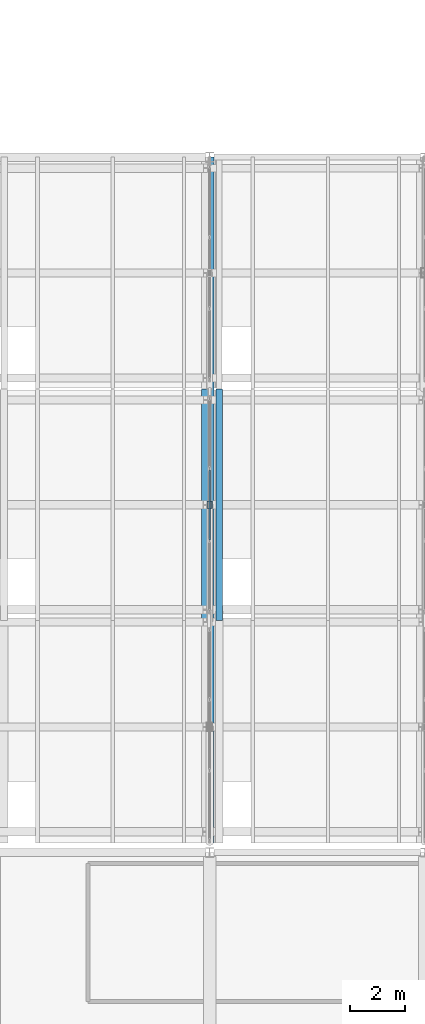
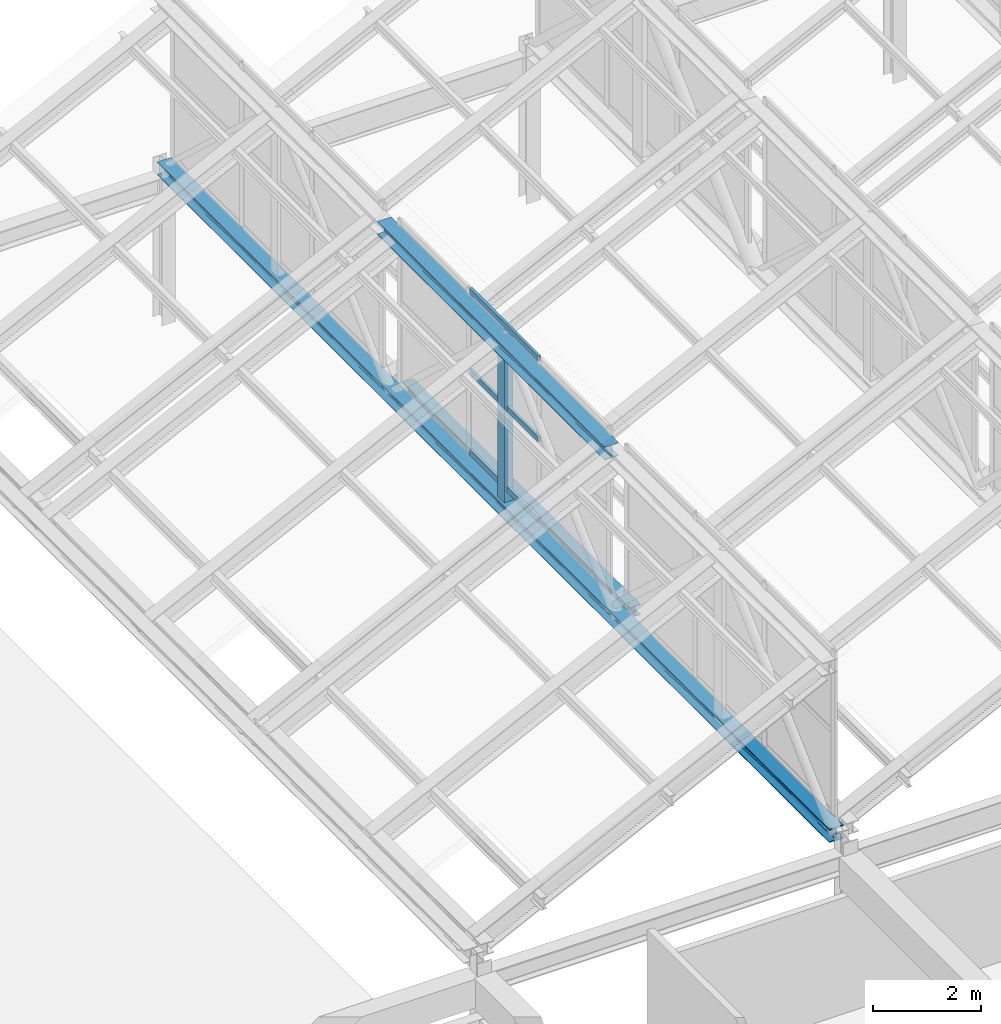
# One storey, part 19 of 101: 7 members, 1 element without a shape of its own.
"""IFC4 building model written with IfcOpenShell, lengths in metres."""

from ifc_helpers import new_model, si_unit, direction, frame, origin, origin_2d, place, context, subcontext, project, spatial, hollow_rectangle, i_section, extrude, material, layer, layer_set, material_profile, profile_set, type_object, element, aggregate, save


model = new_model("IFC4")

# Units and contexts
model_context = context("Model", 3, precision=1e-05, world=origin(), true_north=direction((0.0, 1.0)))
body_context = subcontext(model_context, "Body", "Model", "MODEL_VIEW")
ifc_project = project(units=[si_unit("LENGTHUNIT", "METRE"), si_unit("AREAUNIT", "SQUARE_METRE"), si_unit("VOLUMEUNIT", "CUBIC_METRE"), si_unit("PLANEANGLEUNIT", "RADIAN"), si_unit("MASSUNIT", "GRAM", prefix="KILO")], contexts=[model_context])

# Site, building, storey
site_placement = place(None, origin())
site = spatial("IfcSite", under=ifc_project, at=site_placement, CompositionType="ELEMENT")
building_placement = place(site_placement, origin())
building = spatial("IfcBuilding", under=site, at=building_placement, Name="Zizhar Promenade General Hospital", CompositionType="ELEMENT")
storey_placement = place(building_placement, frame((0.0, 0.0, 14.39990234375)))
storey = spatial("IfcBuildingStorey", under=building, at=storey_placement, Name="L03", CompositionType="ELEMENT", Elevation=14.39990234375)

# Curtain wall, members
ifc_material_1 = material(Name="Anodised aluminium 6063-T6 and low-E glass", Category="aluminium")
ifc_layer = layer(ifc_material_1, 0.159912109375)
ifc_layer_set = layer_set([ifc_layer], Name="Anodised aluminium 6063-T6 and low-E glass")
curtain_wall_type = type_object("IfcCurtainWallType", Name="CW-SAW-NL2", PredefinedType="NOTDEFINED", material=ifc_layer_set)
curtain_wall_placement = place(storey_placement, origin())
curtain_wall = element("IfcCurtainWall", 1, at=curtain_wall_placement, inside=storey, type_object=curtain_wall_type, Name="Sawtooth Clerestory Light B1-S2", PredefinedType="NOTDEFINED")
ifc_material_2 = material(Name="Anodised aluminium 6063-T6", Category="aluminium")
ifc_material_profile_1 = material_profile(ifc_material_2, hollow_rectangle(XDim=0.06005859375, YDim=0.1201171875, WallThickness=0.00390625, at=origin_2d()))
ifc_profile_set_1 = profile_set([ifc_material_profile_1], Name="Anodised aluminium 6063-T6")
member_type_1 = type_object("IfcMemberType", Name="CWT-ALU-120x60", PredefinedType="USERDEFINED", material=ifc_profile_set_1)
member_1_placement = place(storey_placement, frame((78.0, 36.530029296875, 3.880126953125), z_axis=(0.0, 1.0, 0.0), x_axis=(-1.0, 0.0, 0.0)))
member_1 = element("IfcMember", 2, at=member_1_placement, type_object=member_type_1, Name="CW-04 transom 2.1", ObjectType="TRANSOM", PredefinedType="USERDEFINED", context=body_context, shape_type="SweptSolid", body=[
    extrude(hollow_rectangle(XDim=0.06005859375, YDim=0.1201171875, WallThickness=0.00390625, at=origin_2d()), origin(), (0.0, 0.0, 1.0), 2.5400390625),
])
member_2_placement = place(storey_placement, frame((78.0, 36.530029296875, 5.7001953125), z_axis=(0.0, 1.0, 0.0), x_axis=(-1.0, 0.0, 0.0)))
member_2 = element("IfcMember", 3, at=member_2_placement, type_object=member_type_1, Name="CW-04 transom 2.2", ObjectType="TRANSOM", PredefinedType="USERDEFINED", context=body_context, shape_type="SweptSolid", body=[
    extrude(hollow_rectangle(XDim=0.06005859375, YDim=0.1201171875, WallThickness=0.00390625, at=origin_2d()), origin(), (0.0, 0.0, 1.0), 2.5400390625),
])
member_3_placement = place(storey_placement, frame((78.0, 36.530029296875, 7.52001953125), z_axis=(0.0, 1.0, 0.0), x_axis=(-1.0, 0.0, 0.0)))
member_3 = element("IfcMember", 4, at=member_3_placement, type_object=member_type_1, Name="CW-04 transom 2.3", ObjectType="TRANSOM", PredefinedType="USERDEFINED", context=body_context, shape_type="SweptSolid", body=[
    extrude(hollow_rectangle(XDim=0.06005859375, YDim=0.1201171875, WallThickness=0.00390625, at=origin_2d()), origin(), (0.0, 0.0, 1.0), 2.5400390625),
])
aggregate(curtain_wall, [member_1, member_2, member_3])

# Members
ifc_material_3 = material(Name="Steel S355", Category="steel")
ifc_material_profile_2 = material_profile(ifc_material_3, i_section(OverallWidth=0.239990234375, OverallDepth=0.239990234375, WebThickness=0.010009765625, FlangeThickness=0.01708984375, FilletRadius=0.02099609375, at=origin_2d()))
ifc_profile_set_2 = profile_set([ifc_material_profile_2], Name="Steel S355")
member_type_2 = type_object("IfcMemberType", Name="MEM-CHORD-HEB240", PredefinedType="CHORD", material=ifc_profile_set_2)
member_4_placement = place(storey_placement, frame((78.35009765625, 33.60009765625, 3.47021484375), z_axis=(0.0, 1.0, 0.0), x_axis=(-1.0, 0.0, 0.0)))
element("IfcMember", 5, at=member_4_placement, inside=storey, type_object=member_type_2, Name="Sawtooth Bay 2 Valley Tie 2", PredefinedType="CHORD", context=body_context, shape_type="SweptSolid", body=[
    extrude(i_section(OverallWidth=0.239990234375, OverallDepth=0.239990234375, WebThickness=0.010009765625, FlangeThickness=0.01708984375, FilletRadius=0.02099609375, at=origin_2d()), origin(), (0.0, 0.0, 1.0), 8.39990234375),
])
ifc_material_4 = material(Name="Steel S355", Category="steel")
ifc_material_profile_3 = material_profile(ifc_material_4, i_section(OverallWidth=0.300048828125, OverallDepth=0.300048828125, WebThickness=0.010986328125, FlangeThickness=0.01904296875, FilletRadius=0.027099609375, at=origin_2d()))
ifc_profile_set_3 = profile_set([ifc_material_profile_3], Name="Steel S355")
member_type_3 = type_object("IfcMemberType", Name="MEM-CHORD-HEB300", PredefinedType="CHORD", material=ifc_profile_set_3)
member_5_placement = place(storey_placement, frame((78.0, 25.550048828125, 3.4501953125), z_axis=(0.0, 1.0, 0.0), x_axis=(-1.0, 0.0, 0.0)))
element("IfcMember", 6, at=member_5_placement, inside=storey, type_object=member_type_3, Name="Sawtooth Truss Frame 2 Bottom Chord", PredefinedType="CHORD", context=body_context, shape_type="SweptSolid", body=[
    extrude(i_section(OverallWidth=0.300048828125, OverallDepth=0.300048828125, WebThickness=0.010986328125, FlangeThickness=0.01904296875, FilletRadius=0.027099609375, at=origin_2d()), origin(), (0.0, 0.0, 1.0), 24.849853515625),
])
member_6_placement = place(storey_placement, frame((77.85009765625, 33.60009765625, 7.25), z_axis=(0.0, 1.0, 0.0), x_axis=(-1.0, 0.0, 0.0)))
element("IfcMember", 7, at=member_6_placement, inside=storey, type_object=member_type_3, Name="Sawtooth Bay 1 Ridge Chord 2", PredefinedType="CHORD", context=body_context, shape_type="SweptSolid", body=[
    extrude(i_section(OverallWidth=0.300048828125, OverallDepth=0.300048828125, WebThickness=0.010986328125, FlangeThickness=0.01904296875, FilletRadius=0.027099609375, at=origin_2d()), origin(), (0.0, 0.0, 1.0), 8.39990234375),
])
ifc_material_5 = material(Name="Steel S355", Category="steel")
ifc_material_profile_4 = material_profile(ifc_material_5, hollow_rectangle(XDim=0.179931640625, YDim=0.260009765625, WallThickness=0.008056640625, at=origin_2d()))
ifc_profile_set_4 = profile_set([ifc_material_profile_4], Name="Steel S355")
member_type_4 = type_object("IfcMemberType", Name="MEM-STRUT-RHS260", PredefinedType="STRUT", material=ifc_profile_set_4)
member_7_placement = place(storey_placement, frame((78.0, 37.800048828125, 3.4501953125), z_axis=(0.0, 0.0, 1.0), x_axis=(1.0, 0.0, 0.0)))
element("IfcMember", 8, at=member_7_placement, inside=storey, type_object=member_type_4, Name="Sawtooth Truss Frame 2 Vertical Post 2", PredefinedType="STRUT", context=body_context, shape_type="SweptSolid", body=[
    extrude(hollow_rectangle(XDim=0.179931640625, YDim=0.260009765625, WallThickness=0.008056640625, at=origin_2d()), origin(), (0.0, 0.0, 1.0), 3.89990234375),
])

save(model, "model.ifc")
